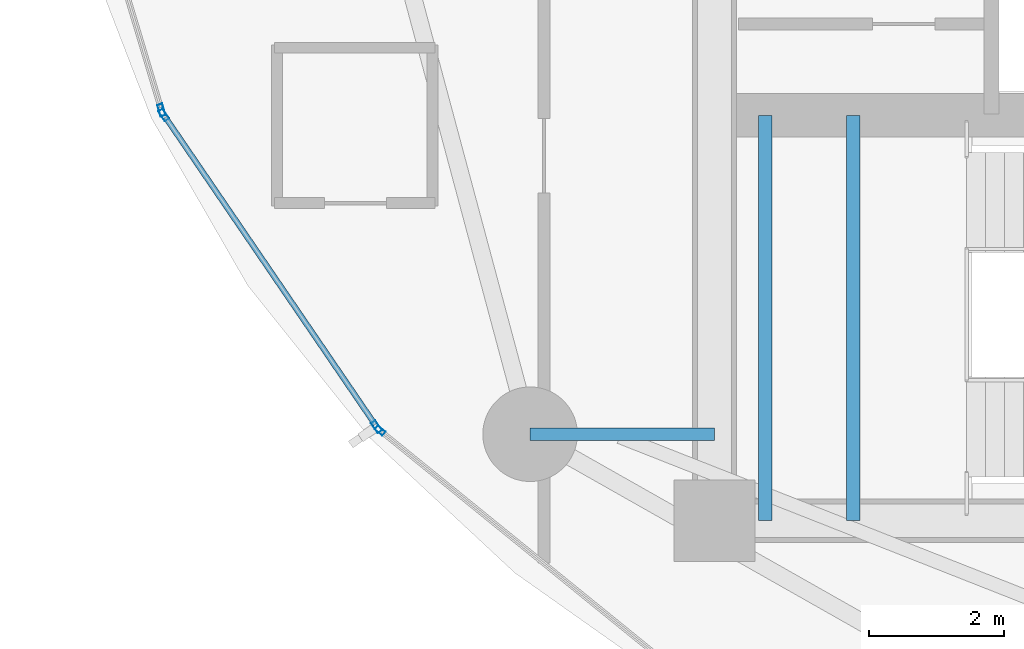
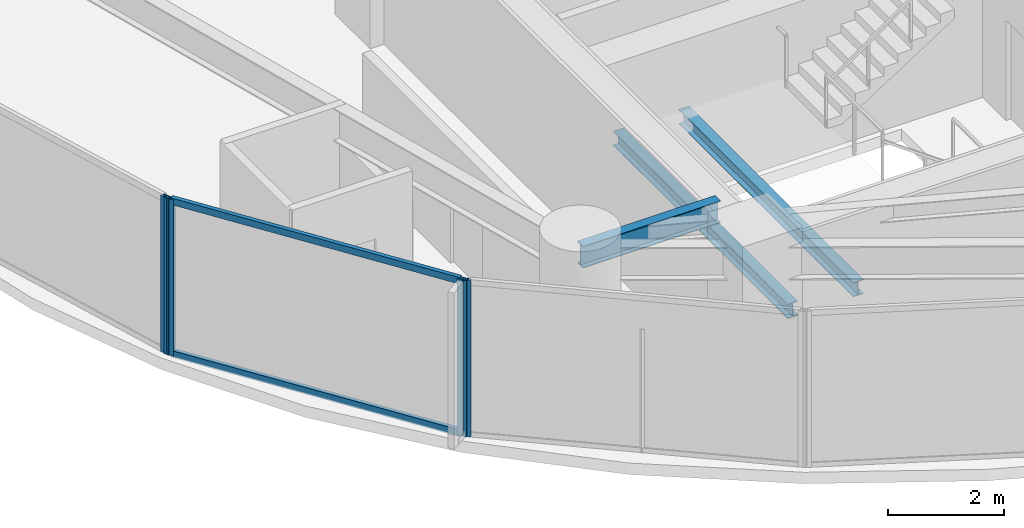
# One storey, part 3 of 30: 6 members, 3 beams, 3 elements without a shape of their own.
"""IFC4 building model written with IfcOpenShell, lengths in metres."""

from ifc_helpers import new_model, si_unit, direction, frame, origin, origin_2d, place, context, subcontext, project, spatial, hollow_rectangle, i_section, extrude, material, layer, layer_set, material_profile, profile_set, type_object, element, aggregate, save


model = new_model("IFC4")

# Units and contexts
model_context = context("Model", 3, precision=1e-05, world=origin(), true_north=direction((0.0, 1.0)))
body_context = subcontext(model_context, "Body", "Model", "MODEL_VIEW")
ifc_project = project(units=[si_unit("LENGTHUNIT", "METRE"), si_unit("AREAUNIT", "SQUARE_METRE"), si_unit("VOLUMEUNIT", "CUBIC_METRE"), si_unit("PLANEANGLEUNIT", "RADIAN"), si_unit("MASSUNIT", "GRAM", prefix="KILO")], contexts=[model_context])

# Site, building, storey
site_placement = place(None, origin())
site = spatial("IfcSite", under=ifc_project, at=site_placement, CompositionType="ELEMENT")
building_placement = place(site_placement, origin())
building = spatial("IfcBuilding", under=site, at=building_placement, Name="Kazevale Care Tower and Concert Hall", CompositionType="ELEMENT")
storey_placement = place(building_placement, frame((0.0, 0.0, 88.800048828125)))
storey = spatial("IfcBuildingStorey", under=building, at=storey_placement, Name="L23", CompositionType="ELEMENT", Elevation=88.800048828125)

# Curtain wall, members
ifc_material_1 = material(Name="Aluminium 6063-T6 and Low-E Glass", Category="aluminium")
ifc_layer_1 = layer(ifc_material_1, 0.179931640625)
ifc_layer_set_1 = layer_set([ifc_layer_1], Name="Aluminium 6063-T6 and Low-E Glass")
curtain_wall_type_1 = type_object("IfcCurtainWallType", Name="Waist & Upper Residential Curtain Wall CW-4", PredefinedType="NOTDEFINED", material=ifc_layer_set_1)
curtain_wall_1_placement = place(storey_placement, origin())
curtain_wall_1 = element("IfcCurtainWall", 1, at=curtain_wall_1_placement, inside=storey, type_object=curtain_wall_type_1, Name="cw:L23:f11", PredefinedType="NOTDEFINED")
ifc_material_2 = material(Name="Aluminium 6063-T6", Category="aluminium")
ifc_material_profile_1 = material_profile(ifc_material_2, hollow_rectangle(XDim=0.080078125, YDim=0.179931640625, WallThickness=0.0048828125, at=origin_2d()), Name="ALU80x180x5")
ifc_profile_set_1 = profile_set([ifc_material_profile_1], Name="Aluminium 6063-T6")
member_type_1 = type_object("IfcMemberType", Name="CW-4 Mullion ALU80x180x5", PredefinedType="MULLION", material=ifc_profile_set_1)
member_1_placement = place(storey_placement, frame((16.99853515625, 24.989990234375, 0.0), z_axis=(0.0, 0.0, 1.0), x_axis=(-0.826003329789, -0.563665236801, 0.0)))
member_1 = element("IfcMember", 2, at=member_1_placement, type_object=member_type_1, Name="CW-4 mullion 1", PredefinedType="MULLION", context=body_context, shape_type="SweptSolid", body=[
    extrude(hollow_rectangle(XDim=0.080078125, YDim=0.179931640625, WallThickness=0.0048828125, at=origin_2d()), origin(), (0.0, 0.0, 1.0), 3.280029296875),
])
member_2_placement = place(storey_placement, frame((13.8486328125, 29.60595703125, 0.0), z_axis=(0.0, 0.0, 1.0), x_axis=(-0.826003329789, -0.563665236801, 0.0)))
member_2 = element("IfcMember", 3, at=member_2_placement, type_object=member_type_1, Name="CW-4 mullion 2", PredefinedType="MULLION", context=body_context, shape_type="SweptSolid", body=[
    extrude(hollow_rectangle(XDim=0.080078125, YDim=0.179931640625, WallThickness=0.0048828125, at=origin_2d()), origin(), (0.0, 0.0, 1.0), 3.280029296875),
])

# Curtain wall, member
curtain_wall_2_placement = place(storey_placement, origin())
curtain_wall_2 = element("IfcCurtainWall", 4, at=curtain_wall_2_placement, inside=storey, type_object=curtain_wall_type_1, Name="cw:L23:f12", PredefinedType="NOTDEFINED")
member_3_placement = place(storey_placement, frame((13.814453125, 29.67724609375, 0.0), z_axis=(0.0, 0.0, 1.0), x_axis=(-0.957661755703, -0.287895747909, 0.0)))
member_3 = element("IfcMember", 5, at=member_3_placement, type_object=member_type_1, Name="CW-4 mullion 1", PredefinedType="MULLION", context=body_context, shape_type="SweptSolid", body=[
    extrude(hollow_rectangle(XDim=0.080078125, YDim=0.179931640625, WallThickness=0.0048828125, at=origin_2d()), origin(), (0.0, 0.0, 1.0), 3.280029296875),
])
aggregate(curtain_wall_2, [member_3])

# Member
ifc_material_profile_2 = material_profile(ifc_material_2, hollow_rectangle(XDim=0.080078125, YDim=0.139892578125, WallThickness=0.00390625, at=origin_2d()), Name="ALU80x140x4")
ifc_profile_set_2 = profile_set([ifc_material_profile_2], Name="Aluminium 6063-T6")
member_type_2 = type_object("IfcMemberType", Name="CW-4 Transom ALU80x140x4", PredefinedType="USERDEFINED", material=ifc_profile_set_2)
member_4_placement = place(storey_placement, frame((16.975830078125, 25.023193359375, 0.0400390625), z_axis=(-0.56365860987, 0.826007851972, 0.0), x_axis=(-0.826007851972, -0.56365860987, 0.0)))
member_4 = element("IfcMember", 6, at=member_4_placement, type_object=member_type_2, Name="CW-4 transom 1.1", ObjectType="TRANSOM", PredefinedType="USERDEFINED", context=body_context, shape_type="SweptSolid", body=[
    extrude(hollow_rectangle(XDim=0.080078125, YDim=0.139892578125, WallThickness=0.00390625, at=origin_2d()), origin(), (0.0, 0.0, 1.0), 5.50830078125),
])

member_5_placement = place(storey_placement, frame((16.975830078125, 25.023193359375, 3.239990234375), z_axis=(-0.56365860987, 0.826007851972, 0.0), x_axis=(-0.826007851972, -0.56365860987, 0.0)))
member_5 = element("IfcMember", 7, at=member_5_placement, type_object=member_type_2, Name="CW-4 transom 1.2", ObjectType="TRANSOM", PredefinedType="USERDEFINED", context=body_context, shape_type="SweptSolid", body=[
    extrude(hollow_rectangle(XDim=0.080078125, YDim=0.139892578125, WallThickness=0.00390625, at=origin_2d()), origin(), (0.0, 0.0, 1.0), 5.50830078125),
])

aggregate(curtain_wall_1, [member_1, member_2, member_4, member_5])

# Curtain wall, member
ifc_layer_2 = layer(ifc_material_1, 0.179931640625)
ifc_layer_set_2 = layer_set([ifc_layer_2], Name="Aluminium 6063-T6 and Low-E Glass")
curtain_wall_type_2 = type_object("IfcCurtainWallType", Name="Sheltered Concave Balcony Curtain Wall CW-5", PredefinedType="NOTDEFINED", material=ifc_layer_set_2)
curtain_wall_3_placement = place(storey_placement, origin())
curtain_wall_3 = element("IfcCurtainWall", 8, at=curtain_wall_3_placement, inside=storey, type_object=curtain_wall_type_2, Name="cw:L23:f10", PredefinedType="NOTDEFINED")
ifc_material_profile_3 = material_profile(ifc_material_2, hollow_rectangle(XDim=0.074951171875, YDim=0.14990234375, WallThickness=0.00390625, at=origin_2d()), Name="ALU75x150x4")
ifc_profile_set_3 = profile_set([ifc_material_profile_3], Name="Aluminium 6063-T6")
member_type_3 = type_object("IfcMemberType", Name="CW-5 Mullion ALU75x150x4", PredefinedType="MULLION", material=ifc_profile_set_3)
member_6_placement = place(storey_placement, frame((17.050048828125, 24.933349609375, 0.0), z_axis=(0.0, 0.0, 1.0), x_axis=(-0.629994732952, -0.77659940539, 0.0)))
member_6 = element("IfcMember", 9, at=member_6_placement, type_object=member_type_3, Name="CW-5 mullion 2", PredefinedType="MULLION", context=body_context, shape_type="SweptSolid", body=[
    extrude(hollow_rectangle(XDim=0.074951171875, YDim=0.14990234375, WallThickness=0.00390625, at=origin_2d()), origin(), (0.0, 0.0, 1.0), 3.280029296875),
])
aggregate(curtain_wall_3, [member_6])

# Beams
ifc_material_3 = material(Name="Steel ASTM A572 Gr 50", Category="steel")
ifc_material_profile_4 = material_profile(ifc_material_3, i_section(OverallWidth=0.19091796875, OverallDepth=0.4599609375, WebThickness=0.010009765625, FlangeThickness=0.01611328125, at=origin_2d()), Name="W460x82")
ifc_profile_set_4 = profile_set([ifc_material_profile_4], Name="Steel ASTM A572 Gr 50")
beam_type_1 = type_object("IfcBeamType", Name="Radial Floor Beam W460x82", PredefinedType="BEAM", material=ifc_profile_set_4)
beam_placement = place(storey_placement, frame((22.0, 24.8798828125, 3.050048828125), z_axis=(-1.0, 0.0, 0.0), x_axis=(0.0, -1.0, 0.0)))
element("IfcBeam", 10, at=beam_placement, inside=storey, type_object=beam_type_1, Name="beam:L23:rad:10", PredefinedType="BEAM", context=body_context, shape_type="SweptSolid", body=[
    extrude(i_section(OverallWidth=0.19091796875, OverallDepth=0.4599609375, WebThickness=0.010009765625, FlangeThickness=0.01611328125, at=origin_2d()), origin(), (0.0, 0.0, 1.0), 2.72998046875),
])
ifc_material_profile_5 = material_profile(ifc_material_3, i_section(OverallWidth=0.202880859375, OverallDepth=0.302978515625, WebThickness=0.007568359375, FlangeThickness=0.01318359375, at=origin_2d()), Name="W310x60")
ifc_profile_set_5 = profile_set([ifc_material_profile_5], Name="Steel ASTM A572 Gr 50")
beam_type_2 = type_object("IfcBeamType", Name="Stair & Balcony Trimmer W310x60", PredefinedType="BEAM", material=ifc_profile_set_5)
for number, where, z_axis, x_axis, name in (
    (11, (22.75, 23.60009765625, 1.448486328125), (0.0, 1.0, 0.0), (-1.0, 0.0, 0.0), "beam:L23:sttrim:ST1"),
    (12, (24.050048828125, 23.60009765625, 1.448486328125), (0.0, 1.0, 0.0), (-1.0, 0.0, 0.0), "beam:L23:sttrim:ST1b"),
):
    element("IfcBeam", number, at=place(storey_placement, frame(where, z_axis=z_axis, x_axis=x_axis)), inside=storey, type_object=beam_type_2, Name=name, PredefinedType="BEAM", context=body_context, shape_type="SweptSolid", body=[
        extrude(i_section(OverallWidth=0.202880859375, OverallDepth=0.302978515625, WebThickness=0.007568359375, FlangeThickness=0.01318359375, at=origin_2d()), origin(), (0.0, 0.0, 1.0), 6.0),
    ])

save(model, "model.ifc")
